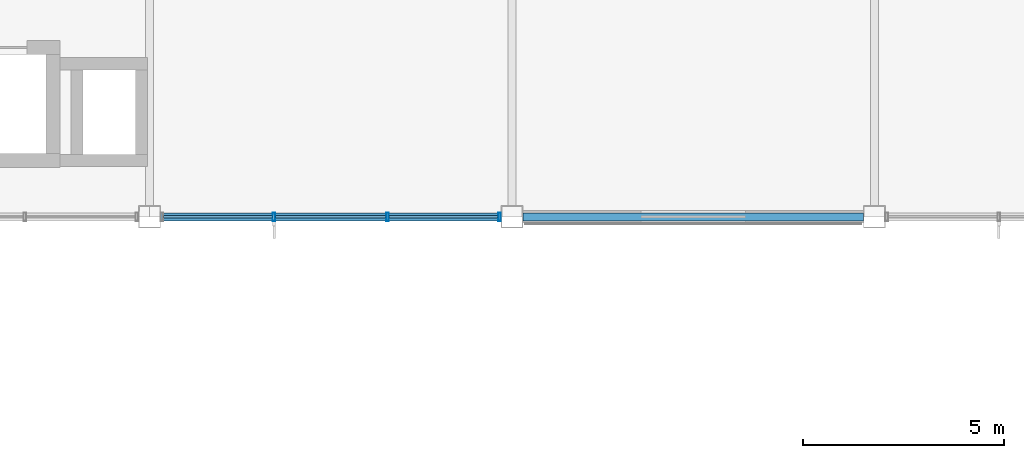
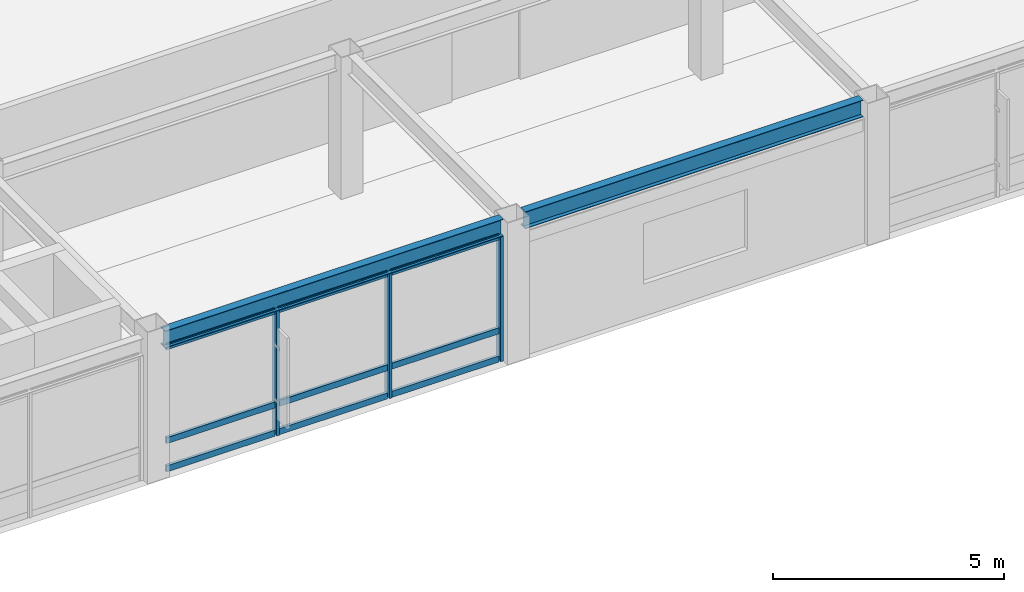
# One storey, part 65 of 113: 12 members, 2 beams, 1 element without a shape of its own.
"""IFC4 building model written with IfcOpenShell, lengths in metres."""

from ifc_helpers import new_model, si_unit, direction, frame, origin, origin_2d, place, context, subcontext, project, spatial, hollow_rectangle, i_section, extrude, material, material_profile, profile_set, type_object, element, aggregate, save


model = new_model("IFC4")

# Units and contexts
model_context = context("Model", 3, precision=1e-05, world=origin(), true_north=direction((0.0, 1.0)))
body_context = subcontext(model_context, "Body", "Model", "MODEL_VIEW")
ifc_project = project(units=[si_unit("LENGTHUNIT", "METRE"), si_unit("AREAUNIT", "SQUARE_METRE"), si_unit("VOLUMEUNIT", "CUBIC_METRE"), si_unit("PLANEANGLEUNIT", "RADIAN"), si_unit("MASSUNIT", "GRAM", prefix="KILO")], contexts=[model_context])

# Site, building, storey
site_placement = place(None, origin())
site = spatial("IfcSite", under=ifc_project, at=site_placement, CompositionType="ELEMENT")
building_placement = place(site_placement, origin())
building = spatial("IfcBuilding", under=site, at=building_placement, Name="Kazanami Central Library", CompositionType="ELEMENT")
storey_placement = place(building_placement, frame((0.0, 0.0, 8.800048828125)))
storey = spatial("IfcBuildingStorey", under=building, at=storey_placement, Name="L03", CompositionType="ELEMENT", Elevation=8.800048828125)

# Beams
ifc_material_1 = material(Name="Steel SN490B (325 MPa)", Category="steel")
ifc_material_profile_1 = material_profile(ifc_material_1, i_section(OverallWidth=0.199951171875, OverallDepth=0.449951171875, WebThickness=0.009033203125, FlangeThickness=0.013916015625, at=origin_2d()), Name="H-450x200x9x14")
ifc_profile_set_1 = profile_set([ifc_material_profile_1], Name="Steel SN490B (325 MPa)")
beam_type = type_object("IfcBeamType", Name="BM-SP-2", PredefinedType="SPANDREL", material=ifc_profile_set_1)
for number, where, z_axis, x_axis, name in (
    (1, (63.27294921875, 64.800048828125, 3.52001953125), (1.0, 0.0, 0.0), (0.0, 1.0, 0.0), "Girder SP-2 L03 K/8-9"),
    (2, (72.27294921875, 64.800048828125, 3.52001953125), (1.0, 0.0, 0.0), (0.0, 1.0, 0.0), "Girder SP-2 L03 K/9-10"),
):
    element("IfcBeam", number, at=place(storey_placement, frame(where, z_axis=z_axis, x_axis=x_axis)), inside=storey, type_object=beam_type, Name=name, PredefinedType="SPANDREL", context=body_context, shape_type="SweptSolid", body=[
        extrude(i_section(OverallWidth=0.199951171875, OverallDepth=0.449951171875, WebThickness=0.009033203125, FlangeThickness=0.013916015625, at=origin_2d()), origin(), (0.0, 0.0, 1.0), 8.4541015625),
    ])

# Curtain wall, members
ifc_material_2 = material(Name="Acid-Etched Low-E Laminated Glass", Category="glass")
curtain_wall_type = type_object("IfcCurtainWallType", Name="CW-8450x3295-M275", PredefinedType="USERDEFINED", material=ifc_material_2)
curtain_wall_placement = place(storey_placement, origin())
curtain_wall = element("IfcCurtainWall", 3, at=curtain_wall_placement, inside=storey, type_object=curtain_wall_type, Name="Unitised Curtain Wall CW-29 L03 S-K-07", ObjectType="UNITISED CURTAIN WALL", PredefinedType="USERDEFINED")
ifc_material_3 = material(Name="Anodised Aluminium A6063-T5", Category="aluminium")
ifc_material_profile_2 = material_profile(ifc_material_3, hollow_rectangle(XDim=0.070068359375, YDim=0.2099609375, WallThickness=0.0048828125, at=origin_2d()), Name="ALU-MULL-70x210x5")
ifc_profile_set_2 = profile_set([ifc_material_profile_2], Name="Anodised Aluminium A6063-T5")
member_type_1 = type_object("IfcMemberType", Name="MEM-CW-M1", PredefinedType="MULLION", material=ifc_profile_set_2)
member_1_placement = place(storey_placement, frame((66.091552734375, 64.800048828125, 0.0), z_axis=(0.0, 0.0, 1.0), x_axis=(1.0, 0.0, 0.0)))
member_1 = element("IfcMember", 4, at=member_1_placement, type_object=member_type_1, Name="CW-29 mullion 2", PredefinedType="MULLION", context=body_context, shape_type="SweptSolid", body=[
    extrude(hollow_rectangle(XDim=0.070068359375, YDim=0.2099609375, WallThickness=0.0048828125, at=origin_2d()), origin(), (0.0, 0.0, 1.0), 3.294921875),
])
member_2_placement = place(storey_placement, frame((68.908447265625, 64.800048828125, 0.0), z_axis=(0.0, 0.0, 1.0), x_axis=(1.0, 0.0, 0.0)))
member_2 = element("IfcMember", 5, at=member_2_placement, type_object=member_type_1, Name="CW-29 mullion 3", PredefinedType="MULLION", context=body_context, shape_type="SweptSolid", body=[
    extrude(hollow_rectangle(XDim=0.070068359375, YDim=0.2099609375, WallThickness=0.0048828125, at=origin_2d()), origin(), (0.0, 0.0, 1.0), 3.294921875),
])
member_3_placement = place(storey_placement, frame((71.68994140625, 64.800048828125, 0.0), z_axis=(0.0, 0.0, 1.0), x_axis=(1.0, 0.0, 0.0)))
member_3 = element("IfcMember", 6, at=member_3_placement, type_object=member_type_1, Name="CW-29 mullion 4", PredefinedType="MULLION", context=body_context, shape_type="SweptSolid", body=[
    extrude(hollow_rectangle(XDim=0.070068359375, YDim=0.2099609375, WallThickness=0.0048828125, at=origin_2d()), origin(), (0.0, 0.0, 1.0), 3.294921875),
])
ifc_material_profile_3 = material_profile(ifc_material_3, hollow_rectangle(XDim=0.070068359375, YDim=0.159912109375, WallThickness=0.00390625, at=origin_2d()), Name="ALU-TRAN-70x160x4")
ifc_profile_set_3 = profile_set([ifc_material_profile_3], Name="Anodised Aluminium A6063-T5")
member_type_2 = type_object("IfcMemberType", Name="MEM-CW-T1", PredefinedType="USERDEFINED", material=ifc_profile_set_3)
member_4_placement = place(storey_placement, frame((63.344970703125, 64.800048828125, 0.034912109375), z_axis=(1.0, 0.0, 0.0), x_axis=(0.0, 1.0, 0.0)))
member_4 = element("IfcMember", 7, at=member_4_placement, type_object=member_type_2, Name="CW-29 transom 1.1", ObjectType="TRANSOM", PredefinedType="USERDEFINED", context=body_context, shape_type="SweptSolid", body=[
    extrude(hollow_rectangle(XDim=0.070068359375, YDim=0.159912109375, WallThickness=0.00390625, at=origin_2d()), origin(), (0.0, 0.0, 1.0), 2.711669921875),
])
member_5_placement = place(storey_placement, frame((63.344970703125, 64.800048828125, 0.780029296875), z_axis=(1.0, 0.0, 0.0), x_axis=(0.0, 1.0, 0.0)))
member_5 = element("IfcMember", 8, at=member_5_placement, type_object=member_type_2, Name="CW-29 transom 1.2", ObjectType="TRANSOM", PredefinedType="USERDEFINED", context=body_context, shape_type="SweptSolid", body=[
    extrude(hollow_rectangle(XDim=0.070068359375, YDim=0.159912109375, WallThickness=0.00390625, at=origin_2d()), origin(), (0.0, 0.0, 1.0), 2.711669921875),
])
member_6_placement = place(storey_placement, frame((63.344970703125, 64.800048828125, 3.260009765625), z_axis=(1.0, 0.0, 0.0), x_axis=(0.0, 1.0, 0.0)))
member_6 = element("IfcMember", 9, at=member_6_placement, type_object=member_type_2, Name="CW-29 transom 1.3", ObjectType="TRANSOM", PredefinedType="USERDEFINED", context=body_context, shape_type="SweptSolid", body=[
    extrude(hollow_rectangle(XDim=0.070068359375, YDim=0.159912109375, WallThickness=0.00390625, at=origin_2d()), origin(), (0.0, 0.0, 1.0), 2.711669921875),
])
member_7_placement = place(storey_placement, frame((66.126708984375, 64.800048828125, 0.034912109375), z_axis=(1.0, 0.0, 0.0), x_axis=(0.0, 1.0, 0.0)))
member_7 = element("IfcMember", 10, at=member_7_placement, type_object=member_type_2, Name="CW-29 transom 2.1", ObjectType="TRANSOM", PredefinedType="USERDEFINED", context=body_context, shape_type="SweptSolid", body=[
    extrude(hollow_rectangle(XDim=0.070068359375, YDim=0.159912109375, WallThickness=0.00390625, at=origin_2d()), origin(), (0.0, 0.0, 1.0), 2.74658203125),
])
member_8_placement = place(storey_placement, frame((66.126708984375, 64.800048828125, 0.780029296875), z_axis=(1.0, 0.0, 0.0), x_axis=(0.0, 1.0, 0.0)))
member_8 = element("IfcMember", 11, at=member_8_placement, type_object=member_type_2, Name="CW-29 transom 2.2", ObjectType="TRANSOM", PredefinedType="USERDEFINED", context=body_context, shape_type="SweptSolid", body=[
    extrude(hollow_rectangle(XDim=0.070068359375, YDim=0.159912109375, WallThickness=0.00390625, at=origin_2d()), origin(), (0.0, 0.0, 1.0), 2.74658203125),
])
member_9_placement = place(storey_placement, frame((66.126708984375, 64.800048828125, 3.260009765625), z_axis=(1.0, 0.0, 0.0), x_axis=(0.0, 1.0, 0.0)))
member_9 = element("IfcMember", 12, at=member_9_placement, type_object=member_type_2, Name="CW-29 transom 2.3", ObjectType="TRANSOM", PredefinedType="USERDEFINED", context=body_context, shape_type="SweptSolid", body=[
    extrude(hollow_rectangle(XDim=0.070068359375, YDim=0.159912109375, WallThickness=0.00390625, at=origin_2d()), origin(), (0.0, 0.0, 1.0), 2.74658203125),
])
member_10_placement = place(storey_placement, frame((68.943359375, 64.800048828125, 0.034912109375), z_axis=(1.0, 0.0, 0.0), x_axis=(0.0, 1.0, 0.0)))
member_10 = element("IfcMember", 13, at=member_10_placement, type_object=member_type_2, Name="CW-29 transom 3.1", ObjectType="TRANSOM", PredefinedType="USERDEFINED", context=body_context, shape_type="SweptSolid", body=[
    extrude(hollow_rectangle(XDim=0.070068359375, YDim=0.159912109375, WallThickness=0.00390625, at=origin_2d()), origin(), (0.0, 0.0, 1.0), 2.711669921875),
])
member_11_placement = place(storey_placement, frame((68.943359375, 64.800048828125, 0.780029296875), z_axis=(1.0, 0.0, 0.0), x_axis=(0.0, 1.0, 0.0)))
member_11 = element("IfcMember", 14, at=member_11_placement, type_object=member_type_2, Name="CW-29 transom 3.2", ObjectType="TRANSOM", PredefinedType="USERDEFINED", context=body_context, shape_type="SweptSolid", body=[
    extrude(hollow_rectangle(XDim=0.070068359375, YDim=0.159912109375, WallThickness=0.00390625, at=origin_2d()), origin(), (0.0, 0.0, 1.0), 2.711669921875),
])
member_12_placement = place(storey_placement, frame((68.943359375, 64.800048828125, 3.260009765625), z_axis=(1.0, 0.0, 0.0), x_axis=(0.0, 1.0, 0.0)))
member_12 = element("IfcMember", 15, at=member_12_placement, type_object=member_type_2, Name="CW-29 transom 3.3", ObjectType="TRANSOM", PredefinedType="USERDEFINED", context=body_context, shape_type="SweptSolid", body=[
    extrude(hollow_rectangle(XDim=0.070068359375, YDim=0.159912109375, WallThickness=0.00390625, at=origin_2d()), origin(), (0.0, 0.0, 1.0), 2.711669921875),
])
aggregate(curtain_wall, [member_1, member_2, member_3, member_4, member_5, member_6, member_7, member_8, member_9, member_10, member_11, member_12])

save(model, "model.ifc")
